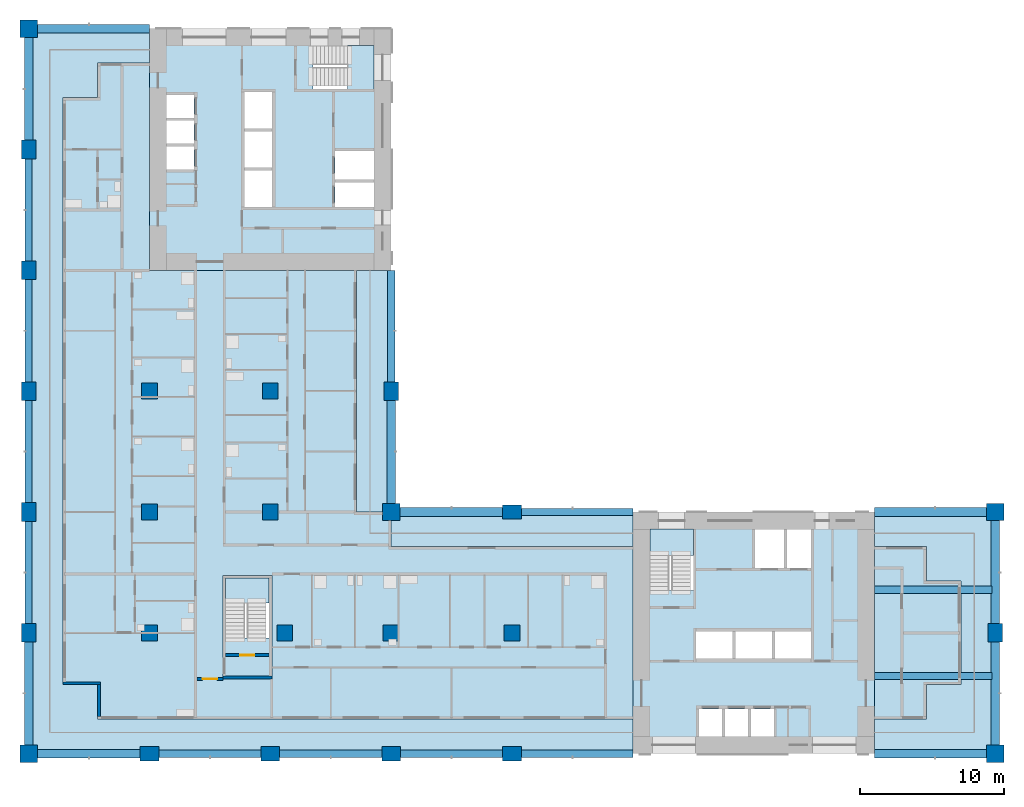
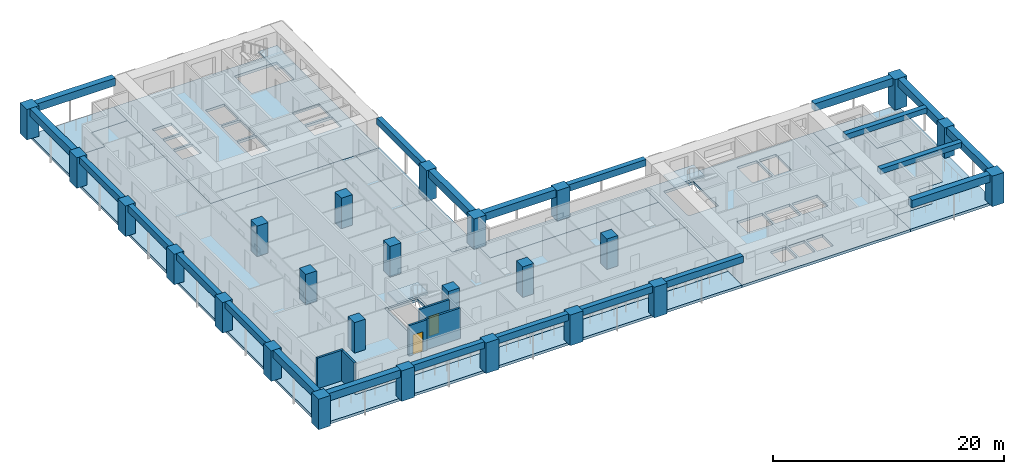
# One storey, part 1 of 16: 25 columns, 22 beams, 12 slabs, 5 walls, 2 doors, 2 openings, 3 elements without a shape of their own.
"""IFC4 building model written with IfcOpenShell, lengths in metres."""

from ifc_helpers import new_model, si_unit, direction, frame, frame_2d, origin, origin_2d, place, context, subcontext, project, spatial, polyline, rectangle, outline, extrude, material, layer, layer_set, material_profile, profile_set, type_object, element, fill, aggregate, save


model = new_model("IFC4")

# Units and contexts
model_context = context("Model", 3, precision=1e-05, world=origin(), true_north=direction((0.0, 1.0)))
body_context = subcontext(model_context, "Body", "Model", "MODEL_VIEW")
ifc_project = project(units=[si_unit("LENGTHUNIT", "METRE"), si_unit("AREAUNIT", "SQUARE_METRE"), si_unit("VOLUMEUNIT", "CUBIC_METRE"), si_unit("PLANEANGLEUNIT", "RADIAN"), si_unit("MASSUNIT", "GRAM", prefix="KILO")], contexts=[model_context])

# Site, building, storey
site_placement = place(None, origin())
site = spatial("IfcSite", under=ifc_project, at=site_placement, CompositionType="ELEMENT")
building_placement = place(site_placement, origin())
building = spatial("IfcBuilding", under=site, at=building_placement, Name="Vermilion Gate Residences", CompositionType="ELEMENT")
storey_placement = place(building_placement, frame((0.0, 0.0, 130.199951171875)))
storey = spatial("IfcBuildingStorey", under=building, at=storey_placement, Name="L33", CompositionType="ELEMENT", Elevation=130.199951171875)

# Columns
ifc_material_1 = material(Name="Concrete C70", Category="concrete")
ifc_material_profile_1 = material_profile(ifc_material_1, rectangle(XDim=1.10009765625, YDim=1.10009765625, at=origin_2d()), Name="RC-1100x1100")
ifc_profile_set_1 = profile_set([ifc_material_profile_1], Name="Concrete C70")
column_type_1 = type_object("IfcColumnType", Name="RC COLUMN 1100 X 1100 C70", PredefinedType="COLUMN", material=ifc_profile_set_1)
for number, where, z_axis, x_axis, name in (
    (1, (8.39990234375, 16.800048828125, 0.0), (0.0, 0.0, 1.0), (1.0, 0.0, 0.0), "Column 2-C L33"),
    (2, (8.39990234375, 25.199951171875, 0.0), (0.0, 0.0, 1.0), (1.0, 0.0, 0.0), "Column 2-D L33"),
    (3, (8.39990234375, 33.60009765625, 0.0), (0.0, 0.0, 1.0), (1.0, 0.0, 0.0), "Column 2-E L33"),
    (4, (17.800048828125, 16.800048828125, 0.0), (0.0, 0.0, 1.0), (1.0, 0.0, 0.0), "Column 3-C L33"),
    (5, (16.800048828125, 25.199951171875, 0.0), (0.0, 0.0, 1.0), (1.0, 0.0, 0.0), "Column 3-D L33"),
    (6, (16.800048828125, 33.60009765625, 0.0), (0.0, 0.0, 1.0), (1.0, 0.0, 0.0), "Column 3-E L33"),
    (7, (25.199951171875, 16.800048828125, 0.0), (0.0, 0.0, 1.0), (1.0, 0.0, 0.0), "Column 4-C L33"),
    (8, (33.60009765625, 16.800048828125, 0.0), (0.0, 0.0, 1.0), (1.0, 0.0, 0.0), "Column 5-C L33"),
):
    element("IfcColumn", number, at=place(storey_placement, frame(where, z_axis=z_axis, x_axis=x_axis)), inside=storey, type_object=column_type_1, Name=name, PredefinedType="COLUMN", context=body_context, shape_type="SweptSolid", body=[
        extrude(rectangle(XDim=1.10009765625, YDim=1.10009765625, at=origin_2d()), origin(), (0.0, 0.0, 1.0), 3.219970703125),
    ])
ifc_material_2 = material(Name="Concrete C70", Category="concrete")
ifc_material_profile_2 = material_profile(ifc_material_2, rectangle(XDim=1.199951171875, YDim=1.199951171875, at=origin_2d()), Name="RC-1200x1200")
ifc_profile_set_2 = profile_set([ifc_material_profile_2], Name="Concrete C70")
column_type_2 = type_object("IfcColumnType", Name="RC COLUMN 1200 X 1200 C70", PredefinedType="COLUMN", material=ifc_profile_set_2)
for number, where, z_axis, x_axis, name in (
    (9, (0.0, 8.39990234375, 0.0), (0.0, 0.0, 1.0), (1.0, 0.0, 0.0), "Column 1-B L33"),
    (10, (0.0, 58.800048828125, 0.0), (0.0, 0.0, 1.0), (1.0, 0.0, 0.0), "Column 1-H L33"),
    (11, (25.199951171875, 25.199951171875, 0.0), (0.0, 0.0, 1.0), (1.0, 0.0, 0.0), "Column 4-D L33"),
    (12, (67.199951171875, 8.39990234375, 0.0), (0.0, 0.0, 1.0), (1.0, 0.0, 0.0), "Column 9-B L33"),
    (13, (67.199951171875, 25.199951171875, 0.0), (0.0, 0.0, 1.0), (1.0, 0.0, 0.0), "Column 9-D L33"),
):
    element("IfcColumn", number, at=place(storey_placement, frame(where, z_axis=z_axis, x_axis=x_axis)), inside=storey, type_object=column_type_2, Name=name, PredefinedType="COLUMN", context=body_context, shape_type="SweptSolid", body=[
        extrude(rectangle(XDim=1.199951171875, YDim=1.199951171875, at=origin_2d()), origin(), (0.0, 0.0, 1.0), 3.219970703125),
    ])
ifc_material_3 = material(Name="Concrete C70", Category="concrete")
ifc_material_profile_3 = material_profile(ifc_material_3, rectangle(XDim=1.300048828125, YDim=1.0, at=origin_2d()), Name="RC-1300x1000")
ifc_profile_set_3 = profile_set([ifc_material_profile_3], Name="Concrete C70")
column_type_3 = type_object("IfcColumnType", Name="RC COLUMN 1300 X 1000 C70", PredefinedType="COLUMN", material=ifc_profile_set_3)
for number, where, z_axis, x_axis, name in (
    (14, (0.0, 16.800048828125, 0.0), (0.0, 0.0, 1.0), (0.0, 1.0, 0.0), "Column 1-C L33"),
    (15, (0.0, 25.199951171875, 0.0), (0.0, 0.0, 1.0), (0.0, 1.0, 0.0), "Column 1-D L33"),
    (16, (0.0, 33.60009765625, 0.0), (0.0, 0.0, 1.0), (0.0, 1.0, 0.0), "Column 1-E L33"),
    (17, (0.0, 42.0, 0.0), (0.0, 0.0, 1.0), (0.0, 1.0, 0.0), "Column 1-F L33"),
    (18, (0.0, 50.39990234375, 0.0), (0.0, 0.0, 1.0), (0.0, 1.0, 0.0), "Column 1-G L33"),
    (19, (8.39990234375, 8.39990234375, 0.0), (0.0, 0.0, 1.0), (1.0, 0.0, 0.0), "Column 2-B L33"),
    (20, (16.800048828125, 8.39990234375, 0.0), (0.0, 0.0, 1.0), (1.0, 0.0, 0.0), "Column 3-B L33"),
    (21, (25.199951171875, 8.39990234375, 0.0), (0.0, 0.0, 1.0), (1.0, 0.0, 0.0), "Column 4-B L33"),
    (22, (25.199951171875, 33.60009765625, 0.0), (0.0, 0.0, 1.0), (0.0, 1.0, 0.0), "Column 4-E L33"),
    (23, (33.60009765625, 8.39990234375, 0.0), (0.0, 0.0, 1.0), (1.0, 0.0, 0.0), "Column 5-B L33"),
    (24, (33.60009765625, 25.199951171875, 0.0), (0.0, 0.0, 1.0), (1.0, 0.0, 0.0), "Column 5-D L33"),
    (25, (67.199951171875, 16.800048828125, 0.0), (0.0, 0.0, 1.0), (0.0, 1.0, 0.0), "Column 9-C L33"),
):
    element("IfcColumn", number, at=place(storey_placement, frame(where, z_axis=z_axis, x_axis=x_axis)), inside=storey, type_object=column_type_3, Name=name, PredefinedType="COLUMN", context=body_context, shape_type="SweptSolid", body=[
        extrude(rectangle(XDim=1.300048828125, YDim=1.0, at=origin_2d()), origin(), (0.0, 0.0, 1.0), 3.219970703125),
    ])

# Beams
ifc_material_4 = material(Name="Concrete C60 red-oxide pigmented", Category="concrete")
ifc_material_profile_4 = material_profile(ifc_material_4, rectangle(XDim=0.60009765625, YDim=0.800048828125, at=origin_2d()), Name="RC-600x800")
ifc_profile_set_4 = profile_set([ifc_material_profile_4], Name="Concrete C60 red-oxide pigmented")
beam_type_1 = type_object("IfcBeamType", Name="RC CORNER EDGE BEAM 600 X 800 C60", PredefinedType="BEAM", material=ifc_profile_set_4)
for number, where, z_axis, x_axis, name in (
    (26, (0.60009765625, 8.39990234375, 2.820068359375), (1.0, 0.0, 0.0), (0.0, 1.0, 0.0), "Corner edge beam L33 1"),
    (27, (0.0, 9.0, 2.820068359375), (0.0, 1.0, 0.0), (-1.0, 0.0, 0.0), "Corner edge beam L33 2"),
):
    element("IfcBeam", number, at=place(storey_placement, frame(where, z_axis=z_axis, x_axis=x_axis)), inside=storey, type_object=beam_type_1, Name=name, PredefinedType="BEAM", context=body_context, shape_type="SweptSolid", body=[
        extrude(rectangle(XDim=0.60009765625, YDim=0.800048828125, at=origin_2d()), origin(), (0.0, 0.0, 1.0), 7.14990234375),
    ])
beam_1_placement = place(storey_placement, frame((0.60009765625, 58.800048828125, 2.820068359375), z_axis=(1.0, 0.0, 0.0), x_axis=(0.0, 1.0, 0.0)))
element("IfcBeam", 28, at=beam_1_placement, inside=storey, type_object=beam_type_1, Name="Corner edge beam L33 7", PredefinedType="BEAM", context=body_context, shape_type="SweptSolid", body=[
    extrude(rectangle(XDim=0.60009765625, YDim=0.800048828125, at=origin_2d()), origin(), (0.0, 0.0, 1.0), 7.7998046875),
])
for number, where, z_axis, x_axis, name in (
    (29, (0.0, 51.050048828125, 2.820068359375), (0.0, 1.0, 0.0), (-1.0, 0.0, 0.0), "Corner edge beam L33 8"),
    (30, (25.199951171875, 25.800048828125, 2.820068359375), (0.0, 1.0, 0.0), (-1.0, 0.0, 0.0), "Corner edge beam L33 11"),
    (31, (25.800048828125, 25.199951171875, 2.820068359375), (1.0, 0.0, 0.0), (0.0, 1.0, 0.0), "Corner edge beam L33 14"),
):
    element("IfcBeam", number, at=place(storey_placement, frame(where, z_axis=z_axis, x_axis=x_axis)), inside=storey, type_object=beam_type_1, Name=name, PredefinedType="BEAM", context=body_context, shape_type="SweptSolid", body=[
        extrude(rectangle(XDim=0.60009765625, YDim=0.800048828125, at=origin_2d()), origin(), (0.0, 0.0, 1.0), 7.14990234375),
    ])
beam_2_placement = place(storey_placement, frame((58.800048828125, 8.39990234375, 2.820068359375), z_axis=(1.0, 0.0, 0.0), x_axis=(0.0, 1.0, 0.0)))
element("IfcBeam", 32, at=beam_2_placement, inside=storey, type_object=beam_type_1, Name="Corner edge beam L33 17", PredefinedType="BEAM", context=body_context, shape_type="SweptSolid", body=[
    extrude(rectangle(XDim=0.60009765625, YDim=0.800048828125, at=origin_2d()), origin(), (0.0, 0.0, 1.0), 7.800048828125),
])
beam_3_placement = place(storey_placement, frame((67.199951171875, 9.0, 2.820068359375), z_axis=(0.0, 1.0, 0.0), x_axis=(-1.0, 0.0, 0.0)))
element("IfcBeam", 33, at=beam_3_placement, inside=storey, type_object=beam_type_1, Name="Corner edge beam L33 18", PredefinedType="BEAM", context=body_context, shape_type="SweptSolid", body=[
    extrude(rectangle(XDim=0.60009765625, YDim=0.800048828125, at=origin_2d()), origin(), (0.0, 0.0, 1.0), 7.14990234375),
])
beam_4_placement = place(storey_placement, frame((67.199951171875, 17.449951171875, 2.820068359375), z_axis=(0.0, 1.0, 0.0), x_axis=(-1.0, 0.0, 0.0)))
element("IfcBeam", 34, at=beam_4_placement, inside=storey, type_object=beam_type_1, Name="Corner edge beam L33 19", PredefinedType="BEAM", context=body_context, shape_type="SweptSolid", body=[
    extrude(rectangle(XDim=0.60009765625, YDim=0.800048828125, at=origin_2d()), origin(), (0.0, 0.0, 1.0), 7.150146484375),
])
beam_5_placement = place(storey_placement, frame((58.800048828125, 25.199951171875, 2.820068359375), z_axis=(1.0, 0.0, 0.0), x_axis=(0.0, 1.0, 0.0)))
element("IfcBeam", 35, at=beam_5_placement, inside=storey, type_object=beam_type_1, Name="Corner edge beam L33 20", PredefinedType="BEAM", context=body_context, shape_type="SweptSolid", body=[
    extrude(rectangle(XDim=0.60009765625, YDim=0.800048828125, at=origin_2d()), origin(), (0.0, 0.0, 1.0), 7.800048828125),
])
ifc_material_5 = material(Name="Concrete C60 red-oxide pigmented", Category="concrete")
ifc_material_profile_5 = material_profile(ifc_material_5, rectangle(XDim=0.5, YDim=0.699951171875, at=origin_2d()), Name="RC-500x700")
ifc_profile_set_5 = profile_set([ifc_material_profile_5], Name="Concrete C60 red-oxide pigmented")
beam_type_2 = type_object("IfcBeamType", Name="RC EDGE BEAM 500 X 700 C60", PredefinedType="BEAM", material=ifc_profile_set_5)
beam_6_placement = place(storey_placement, frame((0.0, 17.449951171875, 2.8701171875), z_axis=(0.0, 1.0, 0.0), x_axis=(-1.0, 0.0, 0.0)))
element("IfcBeam", 36, at=beam_6_placement, inside=storey, type_object=beam_type_2, Name="Edge beam L33 3", PredefinedType="BEAM", context=body_context, shape_type="SweptSolid", body=[
    extrude(rectangle(XDim=0.5, YDim=0.699951171875, at=origin_2d()), origin(), (0.0, 0.0, 1.0), 7.10009765625),
])
beam_7_placement = place(storey_placement, frame((0.0, 25.85009765625, 2.8701171875), z_axis=(0.0, 1.0, 0.0), x_axis=(-1.0, 0.0, 0.0)))
element("IfcBeam", 37, at=beam_7_placement, inside=storey, type_object=beam_type_2, Name="Edge beam L33 4", PredefinedType="BEAM", context=body_context, shape_type="SweptSolid", body=[
    extrude(rectangle(XDim=0.5, YDim=0.699951171875, at=origin_2d()), origin(), (0.0, 0.0, 1.0), 7.099853515625),
])
for number, where, z_axis, x_axis, name in (
    (38, (0.0, 34.25, 2.8701171875), (0.0, 1.0, 0.0), (-1.0, 0.0, 0.0), "Edge beam L33 5"),
    (39, (0.0, 42.64990234375, 2.8701171875), (0.0, 1.0, 0.0), (-1.0, 0.0, 0.0), "Edge beam L33 6"),
):
    element("IfcBeam", number, at=place(storey_placement, frame(where, z_axis=z_axis, x_axis=x_axis)), inside=storey, type_object=beam_type_2, Name=name, PredefinedType="BEAM", context=body_context, shape_type="SweptSolid", body=[
        extrude(rectangle(XDim=0.5, YDim=0.699951171875, at=origin_2d()), origin(), (0.0, 0.0, 1.0), 7.10009765625),
    ])
beam_8_placement = place(storey_placement, frame((9.050048828125, 8.39990234375, 2.8701171875), z_axis=(1.0, 0.0, 0.0), x_axis=(0.0, 1.0, 0.0)))
element("IfcBeam", 40, at=beam_8_placement, inside=storey, type_object=beam_type_2, Name="Edge beam L33 9", PredefinedType="BEAM", context=body_context, shape_type="SweptSolid", body=[
    extrude(rectangle(XDim=0.5, YDim=0.699951171875, at=origin_2d()), origin(), (0.0, 0.0, 1.0), 7.099853515625),
])
beam_9_placement = place(storey_placement, frame((17.449951171875, 8.39990234375, 2.8701171875), z_axis=(1.0, 0.0, 0.0), x_axis=(0.0, 1.0, 0.0)))
element("IfcBeam", 41, at=beam_9_placement, inside=storey, type_object=beam_type_2, Name="Edge beam L33 10", PredefinedType="BEAM", context=body_context, shape_type="SweptSolid", body=[
    extrude(rectangle(XDim=0.5, YDim=0.699951171875, at=origin_2d()), origin(), (0.0, 0.0, 1.0), 7.10009765625),
])
beam_10_placement = place(storey_placement, frame((25.199951171875, 34.25, 2.8701171875), z_axis=(0.0, 1.0, 0.0), x_axis=(-1.0, 0.0, 0.0)))
element("IfcBeam", 42, at=beam_10_placement, inside=storey, type_object=beam_type_2, Name="Edge beam L33 12", PredefinedType="BEAM", context=body_context, shape_type="SweptSolid", body=[
    extrude(rectangle(XDim=0.5, YDim=0.699951171875, at=origin_2d()), origin(), (0.0, 0.0, 1.0), 7.75),
])
beam_11_placement = place(storey_placement, frame((25.85009765625, 8.39990234375, 2.8701171875), z_axis=(1.0, 0.0, 0.0), x_axis=(0.0, 1.0, 0.0)))
element("IfcBeam", 43, at=beam_11_placement, inside=storey, type_object=beam_type_2, Name="Edge beam L33 13", PredefinedType="BEAM", context=body_context, shape_type="SweptSolid", body=[
    extrude(rectangle(XDim=0.5, YDim=0.699951171875, at=origin_2d()), origin(), (0.0, 0.0, 1.0), 7.099853515625),
])
for number, where, z_axis, x_axis, name in (
    (44, (34.25, 8.39990234375, 2.8701171875), (1.0, 0.0, 0.0), (0.0, 1.0, 0.0), "Edge beam L33 15"),
    (45, (34.25, 25.199951171875, 2.8701171875), (1.0, 0.0, 0.0), (0.0, 1.0, 0.0), "Edge beam L33 16"),
):
    element("IfcBeam", number, at=place(storey_placement, frame(where, z_axis=z_axis, x_axis=x_axis)), inside=storey, type_object=beam_type_2, Name=name, PredefinedType="BEAM", context=body_context, shape_type="SweptSolid", body=[
        extrude(rectangle(XDim=0.5, YDim=0.699951171875, at=origin_2d()), origin(), (0.0, 0.0, 1.0), 7.75),
    ])
ifc_material_6 = material(Name="Concrete C60", Category="concrete")
ifc_material_profile_6 = material_profile(ifc_material_6, rectangle(XDim=0.5, YDim=0.550048828125, at=origin_2d()), Name="RC-500x550")
ifc_profile_set_6 = profile_set([ifc_material_profile_6], Name="Concrete C60")
beam_type_3 = type_object("IfcBeamType", Name="RC WING BEAM 500 X 550 C60", PredefinedType="BEAM", material=ifc_profile_set_6)
for number, where, z_axis, x_axis, name in (
    (46, (58.800048828125, 13.800048828125, 2.945068359375), (1.0, 0.0, 0.0), (0.0, 1.0, 0.0), "Wing-end beam L33 1"),
    (47, (58.800048828125, 19.800048828125, 2.945068359375), (1.0, 0.0, 0.0), (0.0, 1.0, 0.0), "Wing-end beam L33 2"),
):
    element("IfcBeam", number, at=place(storey_placement, frame(where, z_axis=z_axis, x_axis=x_axis)), inside=storey, type_object=beam_type_3, Name=name, PredefinedType="BEAM", context=body_context, shape_type="SweptSolid", body=[
        extrude(rectangle(XDim=0.5, YDim=0.550048828125, at=origin_2d()), origin(), (0.0, 0.0, 1.0), 8.14990234375),
    ])

# Slabs
ifc_material_7 = material(Name="Concrete C50", Category="concrete")
ifc_layer_1 = layer(ifc_material_7, 0.280029296875)
ifc_layer_set_1 = layer_set([ifc_layer_1], Name="RC CORE FLOOR SLAB 280 C50")
slab_type_1 = type_object("IfcSlabType", Name="RC CORE FLOOR SLAB 280 C50", PredefinedType="FLOOR", material=ifc_layer_set_1)
slab_1_placement = place(storey_placement, frame((0.0, 0.0, -0.280029296875)))
element("IfcSlab", 48, at=slab_1_placement, inside=storey, type_object=slab_type_1, Name="Core floor slab A33", PredefinedType="FLOOR", context=body_context, shape_type="SweptSolid", body=[
    extrude(outline(polyline([(42.0, 8.39990234375), (58.800048828125, 8.39990234375), (58.800048828125, 25.199951171875), (42.0, 25.199951171875), (42.0, 8.39990234375)]), holes=[polyline([(46.60009765625, 11.5), (48.199951171875, 11.5), (48.199951171875, 9.60009765625), (46.60009765625, 9.60009765625), (46.60009765625, 11.5)]), polyline([(48.39990234375, 11.5), (50.0, 11.5), (50.0, 9.60009765625), (48.39990234375, 9.60009765625), (48.39990234375, 11.5)]), polyline([(50.199951171875, 11.5), (51.800048828125, 11.5), (51.800048828125, 9.60009765625), (50.199951171875, 9.60009765625), (50.199951171875, 11.5)]), polyline([(46.39990234375, 16.89990234375), (48.933349609375, 16.89990234375), (48.933349609375, 15.0), (46.39990234375, 15.0), (46.39990234375, 16.89990234375)]), polyline([(49.13330078125, 16.89990234375), (51.666748046875, 16.89990234375), (51.666748046875, 15.0), (49.13330078125, 15.0), (49.13330078125, 16.89990234375)]), polyline([(51.86669921875, 16.89990234375), (54.39990234375, 16.89990234375), (54.39990234375, 15.0), (51.86669921875, 15.0), (51.86669921875, 16.89990234375)]), polyline([(43.199951171875, 24.0), (46.199951171875, 24.0), (46.199951171875, 19.75), (43.199951171875, 19.75), (43.199951171875, 24.0)]), polyline([(52.5, 24.0), (52.5, 21.300048828125), (50.5, 21.300048828125), (50.5, 24.0), (52.5, 24.0)]), polyline([(54.39990234375, 24.0), (54.39990234375, 21.300048828125), (52.699951171875, 21.300048828125), (52.699951171875, 24.0), (54.39990234375, 24.0)])]), origin(), (0.0, 0.0, 1.0), 0.280029296875),
])
slab_2_placement = place(storey_placement, frame((0.0, 0.0, -0.280029296875)))
element("IfcSlab", 49, at=slab_2_placement, inside=storey, type_object=slab_type_1, Name="Core floor slab B33", PredefinedType="FLOOR", context=body_context, shape_type="SweptSolid", body=[
    extrude(outline(polyline([(8.39990234375, 42.0), (25.199951171875, 42.0), (25.199951171875, 58.800048828125), (8.39990234375, 58.800048828125), (8.39990234375, 42.0)]), holes=[polyline([(21.300048828125, 48.10009765625), (24.0, 48.10009765625), (24.0, 46.39990234375), (21.300048828125, 46.39990234375), (21.300048828125, 48.10009765625)]), polyline([(15.0, 48.933349609375), (16.89990234375, 48.933349609375), (16.89990234375, 46.39990234375), (15.0, 46.39990234375), (15.0, 48.933349609375)]), polyline([(21.300048828125, 50.300048828125), (24.0, 50.300048828125), (24.0, 48.300048828125), (21.300048828125, 48.300048828125), (21.300048828125, 50.300048828125)]), polyline([(9.60009765625, 50.60009765625), (11.5, 50.60009765625), (11.5, 49.0), (9.60009765625, 49.0), (9.60009765625, 50.60009765625)]), polyline([(15.0, 51.666748046875), (16.89990234375, 51.666748046875), (16.89990234375, 49.13330078125), (15.0, 49.13330078125), (15.0, 51.666748046875)]), polyline([(9.60009765625, 52.39990234375), (11.5, 52.39990234375), (11.5, 50.800048828125), (9.60009765625, 50.800048828125), (9.60009765625, 52.39990234375)]), polyline([(15.0, 54.39990234375), (16.89990234375, 54.39990234375), (16.89990234375, 51.86669921875), (15.0, 51.86669921875), (15.0, 54.39990234375)]), polyline([(11.5, 54.199951171875), (11.5, 52.60009765625), (9.60009765625, 52.60009765625), (9.60009765625, 54.199951171875), (11.5, 54.199951171875)]), polyline([(24.0, 57.60009765625), (24.0, 54.60009765625), (19.75, 54.60009765625), (19.75, 57.60009765625), (24.0, 57.60009765625)])]), origin(), (0.0, 0.0, 1.0), 0.280029296875),
])
slab_3_placement = place(storey_placement, frame((0.0, 0.0, -0.280029296875)))
element("IfcSlab", 50, at=slab_3_placement, inside=storey, type_object=slab_type_1, Name="Apex stair floor slab 33", PredefinedType="FLOOR", context=body_context, shape_type="SweptSolid", body=[
    extrude(outline(polyline([(13.5, 13.60009765625), (16.89990234375, 13.60009765625), (16.89990234375, 20.800048828125), (13.5, 20.800048828125), (13.5, 13.60009765625)]), holes=[polyline([(16.699951171875, 20.60009765625), (16.699951171875, 16.449951171875), (13.699951171875, 16.449951171875), (13.699951171875, 20.60009765625), (16.699951171875, 20.60009765625)])]), origin(), (0.0, 0.0, 1.0), 0.280029296875),
])
ifc_material_8 = material(Name="Concrete C50", Category="concrete")
ifc_layer_2 = layer(ifc_material_8, 0.280029296875)
ifc_layer_set_2 = layer_set([ifc_layer_2], Name="RC FLAT PLATE 280 C50")
slab_type_2 = type_object("IfcSlabType", Name="RC FLAT PLATE 280 C50", PredefinedType="FLOOR", material=ifc_layer_set_2)
slab_4_placement = place(storey_placement, frame((0.0, 0.0, -0.280029296875)))
element("IfcSlab", 51, at=slab_4_placement, inside=storey, type_object=slab_type_2, Name="Floor slab L33", PredefinedType="FLOOR", context=body_context, shape_type="SweptSolid", body=[
    extrude(outline(polyline([(22.800048828125, 25.199951171875), (22.800048828125, 42.0), (8.39990234375, 42.0), (8.39990234375, 56.39990234375), (4.800048828125, 56.39990234375), (4.800048828125, 54.0), (2.39990234375, 54.0), (2.39990234375, 13.199951171875), (4.800048828125, 13.199951171875), (4.800048828125, 10.800048828125), (42.0, 10.800048828125), (42.0, 22.800048828125), (25.199951171875, 22.800048828125), (25.199951171875, 25.199951171875), (22.800048828125, 25.199951171875)]), holes=[polyline([(13.5, 13.60009765625), (13.5, 20.800048828125), (16.89990234375, 20.800048828125), (16.89990234375, 13.60009765625), (13.5, 13.60009765625)])]), origin(), (0.0, 0.0, 1.0), 0.280029296875),
])
slab_5_placement = place(storey_placement, frame((0.0, 0.0, -0.280029296875)))
element("IfcSlab", 52, at=slab_5_placement, inside=storey, type_object=slab_type_2, Name="Floor slab L33", PredefinedType="FLOOR", context=body_context, shape_type="SweptSolid", body=[
    extrude(outline(polyline([(58.800048828125, 22.800048828125), (58.800048828125, 10.800048828125), (62.39990234375, 10.800048828125), (62.39990234375, 13.199951171875), (64.800048828125, 13.199951171875), (64.800048828125, 20.39990234375), (62.39990234375, 20.39990234375), (62.39990234375, 22.800048828125), (58.800048828125, 22.800048828125)])), origin(), (0.0, 0.0, 1.0), 0.280029296875),
])
ifc_material_9 = material(Name="Concrete C50 red-oxide pigmented", Category="concrete")
ifc_layer_3 = layer(ifc_material_9, 0.280029296875)
ifc_layer_set_3 = layer_set([ifc_layer_3], Name="RC LOGGIA SLAB 280 C50")
slab_type_3 = type_object("IfcSlabType", Name="RC LOGGIA SLAB 280 C50", PredefinedType="FLOOR", material=ifc_layer_set_3)
slab_6_placement = place(storey_placement, frame((0.0, 0.0, -0.280029296875)))
element("IfcSlab", 53, at=slab_6_placement, inside=storey, type_object=slab_type_3, Name="Loggia slab L33", PredefinedType="FLOOR", context=body_context, shape_type="SweptSolid", body=[
    extrude(outline(polyline([(0.0, 58.800048828125), (0.0, 8.39990234375), (42.0, 8.39990234375), (42.0, 10.800048828125), (4.800048828125, 10.800048828125), (4.800048828125, 13.199951171875), (2.39990234375, 13.199951171875), (2.39990234375, 54.0), (4.800048828125, 54.0), (4.800048828125, 56.39990234375), (8.39990234375, 56.39990234375), (8.39990234375, 58.800048828125), (0.0, 58.800048828125)])), origin(), (0.0, 0.0, 1.0), 0.280029296875),
])
slab_7_placement = place(storey_placement, frame((0.0, 0.0, -0.280029296875)))
element("IfcSlab", 54, at=slab_7_placement, inside=storey, type_object=slab_type_3, Name="Loggia slab L33", PredefinedType="FLOOR", context=body_context, shape_type="SweptSolid", body=[
    extrude(outline(polyline([(64.800048828125, 20.39990234375), (64.800048828125, 13.199951171875), (62.39990234375, 13.199951171875), (62.39990234375, 10.800048828125), (58.800048828125, 10.800048828125), (58.800048828125, 8.39990234375), (67.199951171875, 8.39990234375), (67.199951171875, 25.199951171875), (58.800048828125, 25.199951171875), (58.800048828125, 22.800048828125), (62.39990234375, 22.800048828125), (62.39990234375, 20.39990234375), (64.800048828125, 20.39990234375)])), origin(), (0.0, 0.0, 1.0), 0.280029296875),
])
slab_8_placement = place(storey_placement, frame((0.0, 0.0, -0.280029296875)))
element("IfcSlab", 55, at=slab_8_placement, inside=storey, type_object=slab_type_3, Name="Loggia slab L33", PredefinedType="FLOOR", context=body_context, shape_type="SweptSolid", body=[
    extrude(outline(polyline([(25.199951171875, 22.800048828125), (42.0, 22.800048828125), (42.0, 25.199951171875), (25.199951171875, 25.199951171875), (25.199951171875, 22.800048828125)])), origin(), (0.0, 0.0, 1.0), 0.280029296875),
])
slab_9_placement = place(storey_placement, frame((0.0, 0.0, -0.280029296875)))
element("IfcSlab", 56, at=slab_9_placement, inside=storey, type_object=slab_type_3, Name="Loggia slab L33", PredefinedType="FLOOR", context=body_context, shape_type="SweptSolid", body=[
    extrude(outline(polyline([(25.199951171875, 25.199951171875), (25.199951171875, 42.0), (22.800048828125, 42.0), (22.800048828125, 25.199951171875), (25.199951171875, 25.199951171875)])), origin(), (0.0, 0.0, 1.0), 0.280029296875),
])

# Stair, slab
ifc_material_10 = material(Name="Concrete C50", Category="concrete")
stair_type = type_object("IfcStairType", Name="SPECIAL ESCAPE STAIR 1300", PredefinedType="HALF_TURN_STAIR", material=ifc_material_10)
stair_1_placement = place(storey_placement, origin())
stair_1 = element("IfcStair", 57, at=stair_1_placement, inside=storey, type_object=stair_type, Name="Special escape stair STA1-33", PredefinedType="HALF_TURN_STAIR")
ifc_material_11 = material(Name="Concrete C50", Category="concrete")
ifc_layer_4 = layer(ifc_material_11, 0.199951171875)
ifc_layer_set_4 = layer_set([ifc_layer_4], Name="STAIR LANDING 200 C50")
slab_type_4 = type_object("IfcSlabType", Name="STAIR LANDING 200 C50", PredefinedType="LANDING", material=ifc_layer_set_4)
slab_10_placement = place(storey_placement, frame((0.0, 0.0, 1.550048828125)))
slab_10 = element("IfcSlab", 58, at=slab_10_placement, type_object=slab_type_4, Name="STA1-33 landing 1", PredefinedType="LANDING", context=body_context, shape_type="SweptSolid", body=[
    extrude(outline(polyline([(46.219970703125, 22.179931640625), (46.219970703125, 24.02001953125), (43.179931640625, 24.02001953125), (43.179931640625, 22.179931640625), (46.219970703125, 22.179931640625)])), origin(), (0.0, 0.0, 1.0), 0.199951171875),
])
aggregate(stair_1, [slab_10])

stair_2_placement = place(storey_placement, origin())
stair_2 = element("IfcStair", 59, at=stair_2_placement, inside=storey, type_object=stair_type, Name="Special escape stair STB1-33", PredefinedType="HALF_TURN_STAIR")
slab_11_placement = place(storey_placement, frame((0.0, 0.0, 1.550048828125)))
slab_11 = element("IfcSlab", 60, at=slab_11_placement, type_object=slab_type_4, Name="STB1-33 landing 1", PredefinedType="LANDING", context=body_context, shape_type="SweptSolid", body=[
    extrude(outline(polyline([(24.02001953125, 54.580078125), (24.02001953125, 57.6201171875), (22.179931640625, 57.6201171875), (22.179931640625, 54.580078125), (24.02001953125, 54.580078125)])), origin(), (0.0, 0.0, 1.0), 0.199951171875),
])
aggregate(stair_2, [slab_11])

stair_3_placement = place(storey_placement, origin())
stair_3 = element("IfcStair", 61, at=stair_3_placement, inside=storey, type_object=stair_type, Name="Special escape stair STC1-33", PredefinedType="HALF_TURN_STAIR")
slab_12_placement = place(storey_placement, frame((0.0, 0.0, 1.550048828125)))
slab_12 = element("IfcSlab", 62, at=slab_12_placement, type_object=slab_type_4, Name="STC1-33 landing 1", PredefinedType="LANDING", context=body_context, shape_type="SweptSolid", body=[
    extrude(outline(polyline([(16.719970703125, 18.8798828125), (16.719970703125, 20.6201171875), (13.679931640625, 20.6201171875), (13.679931640625, 18.8798828125), (16.719970703125, 18.8798828125)])), origin(), (0.0, 0.0, 1.0), 0.199951171875),
])
aggregate(stair_3, [slab_12])

# Walls
ifc_material_12 = material(Name="Insulated steel stud wall with terracotta rainscreen", Category="masonry")
ifc_layer_5 = layer(ifc_material_12, 0.199951171875)
ifc_layer_set_5 = layer_set([ifc_layer_5], Name="EXTERNAL WALL 200 TERRACOTTA RAINSCREEN")
wall_type_1 = type_object("IfcWallType", Name="EXTERNAL WALL 200 TERRACOTTA RAINSCREEN", PredefinedType="SOLIDWALL", material=ifc_layer_set_5)
wall_1_placement = place(storey_placement, frame((2.39990234375, 13.300048828125, 0.0), z_axis=(0.0, 0.0, 1.0), x_axis=(1.0, 0.0, 0.0)))
element("IfcWall", 63, at=wall_1_placement, inside=storey, type_object=wall_type_1, Name="External wall", PredefinedType="SOLIDWALL", context=body_context, shape_type="SweptSolid", body=[
    extrude(rectangle(XDim=2.60009765625, YDim=0.199951171875, at=frame_2d((1.300048828125, 0.0))), origin(), (0.0, 0.0, 1.0), 3.219970703125),
])
wall_2_placement = place(storey_placement, frame((4.89990234375, 13.199951171875, 0.0), z_axis=(0.0, 0.0, 1.0), x_axis=(0.0, -1.0, 0.0)))
element("IfcWall", 64, at=wall_2_placement, inside=storey, type_object=wall_type_1, Name="External wall", PredefinedType="SOLIDWALL", context=body_context, shape_type="SweptSolid", body=[
    extrude(rectangle(XDim=2.199951171875, YDim=0.199951171875, at=frame_2d((1.10009765625, 0.0))), origin(), (0.0, 0.0, 1.0), 3.219970703125),
])

# Wall, opening, door
ifc_material_13 = material(Name="Fire-rated plasterboard on steel studs", Category="steel")
ifc_layer_6 = layer(ifc_material_13, 0.199951171875)
ifc_layer_set_6 = layer_set([ifc_layer_6], Name="PARTY WALL 200 EI 120")
wall_type_2 = type_object("IfcWallType", Name="PARTY WALL 200 EI 120", PredefinedType="PARTITIONING", material=ifc_layer_set_6)
wall_3_placement = place(storey_placement, frame((11.699951171875, 13.60009765625, 0.0), z_axis=(0.0, 0.0, 1.0), x_axis=(1.0, 0.0, 0.0)))
wall_3 = element("IfcWall", 65, at=wall_3_placement, inside=storey, type_object=wall_type_2, Name="Party and corridor wall", PredefinedType="PARTITIONING", context=body_context, shape_type="SweptSolid", body=[
    extrude(rectangle(XDim=1.800048828125, YDim=0.199951171875, at=frame_2d((0.89990234375, 0.0))), origin(), (0.0, 0.0, 1.0), 3.219970703125),
])
opening_1_placement = place(wall_3_placement, frame((0.39990234375, 0.0, 0.0)))
opening_1 = element("IfcOpeningElement", 66, at=opening_1_placement, cuts=wall_3, Name="Opening DA32001", PredefinedType="OPENING", context=body_context, shape_type="SweptSolid", body=[
    extrude(rectangle(XDim=1.0, YDim=2.10009765625, at=frame_2d((0.5, 1.050048828125))), frame((0.0, 0.10986328125, 0.0), z_axis=(0.0, -1.0, 0.0), x_axis=(1.0, 0.0, 0.0)), (0.0, 0.0, 1.0), 0.219970703125),
])
ifc_material_14 = material(Name="Steel", Category="steel")
door_type_1 = type_object("IfcDoorType", Name="ENTRANCE DOOR 1000 X 2100 FD30", OperationType="SINGLE_SWING_LEFT", PredefinedType="DOOR", material=ifc_material_14)
door_1_placement = place(opening_1_placement, frame((1.0, 0.0, 0.0), z_axis=(0.0, 0.0, 1.0), x_axis=(-1.0, 0.0, 0.0)))
door_1 = element("IfcDoor", 67, at=door_1_placement, inside=storey, type_object=door_type_1, Name="Entrance door", OperationType="SINGLE_SWING_RIGHT", OverallHeight=2.10009765625, OverallWidth=1.0, PredefinedType="DOOR", context=body_context, shape_type="SweptSolid", body=[
    extrude(rectangle(XDim=1.0, YDim=2.10009765625, at=frame_2d((0.5, 1.050048828125))), frame((0.0, 0.02490234375, 0.0), z_axis=(0.0, -1.0, 0.0), x_axis=(1.0, 0.0, 0.0)), (0.0, 0.0, 1.0), 0.050048828125),
])
fill(opening_1, door_1)

# Wall
ifc_material_15 = material(Name="Concrete C60", Category="concrete")
ifc_layer_7 = layer(ifc_material_15, 0.199951171875)
ifc_layer_set_7 = layer_set([ifc_layer_7], Name="RC CORE INTERNAL WALL 200 C60")
wall_type_3 = type_object("IfcWallType", Name="RC CORE INTERNAL WALL 200 C60", PredefinedType="SHEAR", material=ifc_layer_set_7)
wall_4_placement = place(storey_placement, frame((13.5, 13.699951171875, 0.0), z_axis=(0.0, 0.0, 1.0), x_axis=(1.0, 0.0, 0.0)))
element("IfcWall", 68, at=wall_4_placement, inside=storey, type_object=wall_type_3, Name="Core internal wall C33-S", PredefinedType="SHEAR", context=body_context, shape_type="SweptSolid", body=[
    extrude(rectangle(XDim=3.39990234375, YDim=0.199951171875, at=frame_2d((1.699951171875, 0.0))), origin(), (0.0, 0.0, 1.0), 3.219970703125),
])

# Wall, opening, door
wall_5_placement = place(storey_placement, frame((13.699951171875, 15.25, 0.0), z_axis=(0.0, 0.0, 1.0), x_axis=(1.0, 0.0, 0.0)))
wall_5 = element("IfcWall", 69, at=wall_5_placement, inside=storey, type_object=wall_type_3, Name="Core internal wall C33-P", PredefinedType="SHEAR", context=body_context, shape_type="SweptSolid", body=[
    extrude(rectangle(XDim=3.0, YDim=0.199951171875, at=frame_2d((1.5, 0.0))), origin(), (0.0, 0.0, 1.0), 3.219970703125),
])
opening_2_placement = place(wall_5_placement, frame((1.0, 0.0, 0.0)))
opening_2 = element("IfcOpeningElement", 70, at=opening_2_placement, cuts=wall_5, Name="Opening DK33202", PredefinedType="OPENING", context=body_context, shape_type="SweptSolid", body=[
    extrude(rectangle(XDim=1.0, YDim=2.10009765625, at=frame_2d((0.5, 1.050048828125))), frame((0.0, 0.10986328125, 0.0), z_axis=(0.0, -1.0, 0.0), x_axis=(1.0, 0.0, 0.0)), (0.0, 0.0, 1.0), 0.219970703125),
])
ifc_material_16 = material(Name="Steel", Category="steel")
door_type_2 = type_object("IfcDoorType", Name="FIRE DOOR FD60 1000 X 2100", OperationType="SINGLE_SWING_LEFT", PredefinedType="DOOR", material=ifc_material_16)
door_2_placement = place(opening_2_placement, origin())
door_2 = element("IfcDoor", 71, at=door_2_placement, inside=storey, type_object=door_type_2, Name="Stair door C33", OperationType="SINGLE_SWING_LEFT", OverallHeight=2.10009765625, OverallWidth=1.0, PredefinedType="DOOR", context=body_context, shape_type="SweptSolid", body=[
    extrude(rectangle(XDim=1.0, YDim=2.10009765625, at=frame_2d((0.5, 1.050048828125))), frame((0.0, 0.02490234375, 0.0), z_axis=(0.0, -1.0, 0.0), x_axis=(1.0, 0.0, 0.0)), (0.0, 0.0, 1.0), 0.050048828125),
])
fill(opening_2, door_2)

save(model, "model.ifc")
